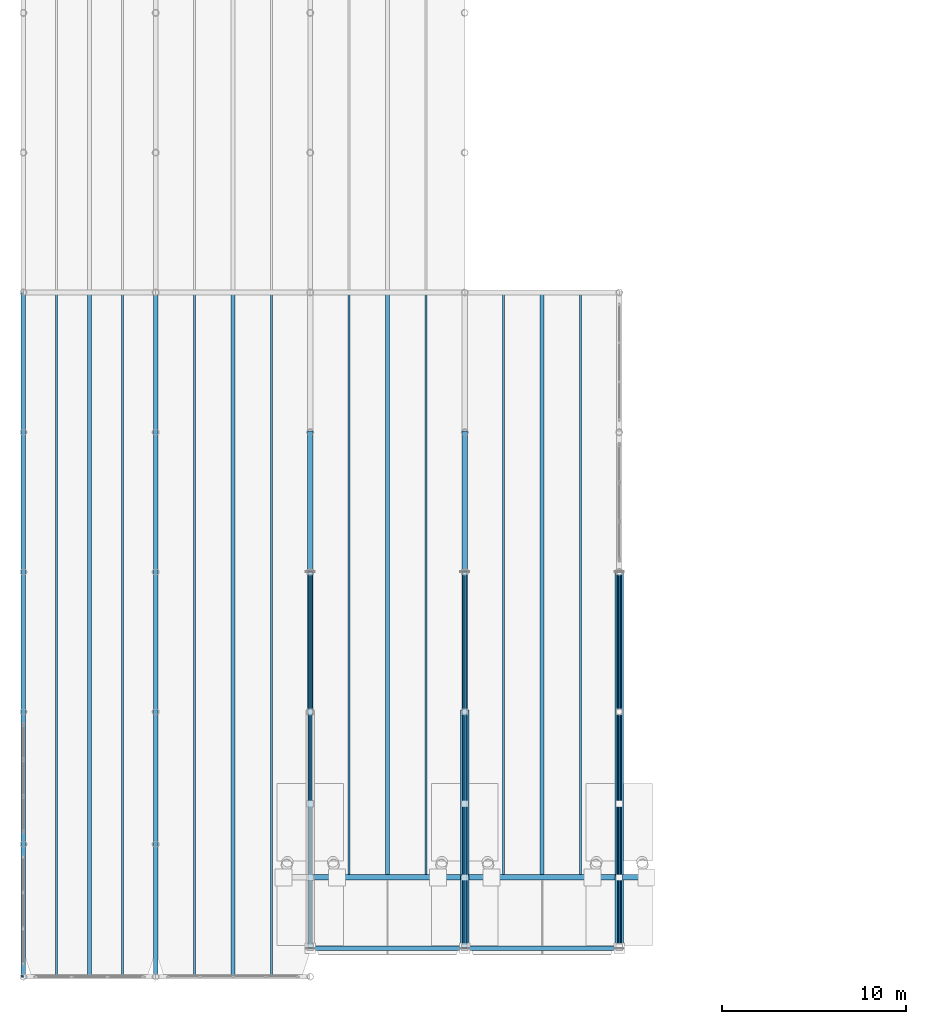
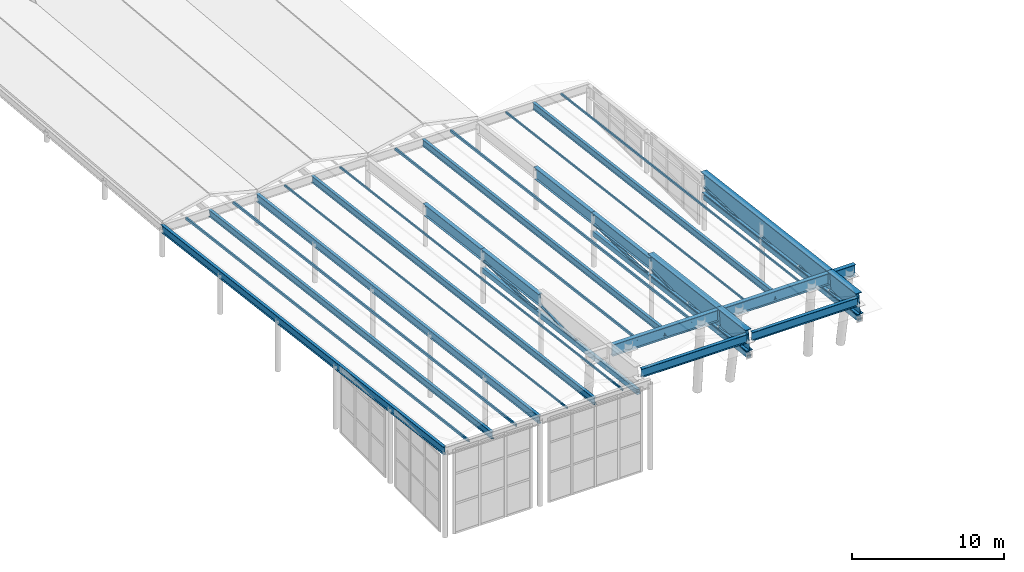
# One storey, part 6 of 14: 21 members, 19 beams.
"""IFC4 building model written with IfcOpenShell, lengths in metres."""

import ifcopenshell
import ifcopenshell.guid

model = None  # the IFC model being written
_history = None  # IfcOwnerHistory: only IFC2X3 demands one
_inside = {}  # id of a spatial element -> (the spatial element, [elements in it])
_under = {}  # id of a project, library or spatial element -> (it, [spatial elements below it])
_declared = {}  # id of a project -> (the project, [libraries it declares])
_typed = {}  # id of a type object -> (the type object, [elements of that type])
_made_of = {}  # id of a material, layer set ... -> (it, [elements and type objects made of it])


def new_model(schema):
    """Start an empty IFC model of exactly this schema.

    Asked for "IFC4X3", IfcOpenShell would pick the latest addendum, in which some entities
    have other attributes; the version numbers below select the first issue.
    IFC2X3 requires an IfcOwnerHistory on every rooted entity: one is made here for all.
    """
    global model, _history
    if schema == "IFC4X3":
        model = ifcopenshell.file(schema_version=(4, 3, 0, 0))
    else:
        model = ifcopenshell.file(schema=schema)
    _inside.clear()
    _under.clear()
    _declared.clear()
    _typed.clear()
    _made_of.clear()
    _history = None
    if model.schema == "IFC2X3":
        org = make("IfcOrganization", Name="unknown")
        user = make(
            "IfcPersonAndOrganization",
            ThePerson=make("IfcPerson", FamilyName="unknown"),
            TheOrganization=org,
        )
        app = make(
            "IfcApplication",
            ApplicationDeveloper=org,
            Version="unknown",
            ApplicationFullName="unknown",
            ApplicationIdentifier="unknown",
        )
        _history = make(
            "IfcOwnerHistory",
            OwningUser=user,
            OwningApplication=app,
            ChangeAction="ADDED",
            CreationDate=0,
        )
    return model


def make(cls, **values):
    """One entity of the class cls with the attributes given. An attribute that is None is left unset."""
    return model.create_entity(
        cls, **{name: value for name, value in values.items() if value is not None}
    )


def rooted(cls, **values):
    """An entity with a GlobalId (a new one), such as an element, a storey or a relation."""
    return make(cls, GlobalId=ifcopenshell.guid.new(), OwnerHistory=_history, **values)


def si_unit(unit_type, name, prefix=None):
    """IfcSIUnit, for example si_unit("LENGTHUNIT", "METRE", prefix="MILLI")."""
    return make("IfcSIUnit", UnitType=unit_type, Prefix=prefix, Name=name)


def assignment(units):
    """IfcUnitAssignment: the units of a project."""
    return None if units is None else make("IfcUnitAssignment", Units=units)


def point(xyz):
    """IfcCartesianPoint."""
    return None if xyz is None else make("IfcCartesianPoint", Coordinates=xyz)


def direction(xyz):
    """IfcDirection."""
    return None if xyz is None else make("IfcDirection", DirectionRatios=xyz)


def frame(location, z_axis=None, x_axis=None):
    """IfcAxis2Placement3D, a coordinate frame: its origin and axes. An axis left out is left unset."""
    return make(
        "IfcAxis2Placement3D",
        Location=point(location),
        Axis=direction(z_axis),
        RefDirection=direction(x_axis),
    )


def frame_2d(location, x_axis=None):
    """IfcAxis2Placement2D, a coordinate frame in the plane: its origin and x axis."""
    return make(
        "IfcAxis2Placement2D", Location=point(location), RefDirection=direction(x_axis)
    )


def origin():
    """The frame at (0, 0, 0) with its axes left unset."""
    return frame((0.0, 0.0, 0.0))


def origin_2d():
    """The frame at (0, 0) in the plane with its x axis left unset."""
    return frame_2d((0.0, 0.0))


def place(relative_to, where):
    """IfcLocalPlacement: puts the frame where relative to a parent placement (None: the world)."""
    return make(
        "IfcLocalPlacement", PlacementRelTo=relative_to, RelativePlacement=where
    )


def context(
    kind, dimensions, precision=None, world=None, true_north=None, identifier=None
):
    """IfcGeometricRepresentationContext, for example the 3D "Model" context."""
    return make(
        "IfcGeometricRepresentationContext",
        ContextIdentifier=identifier,
        ContextType=kind,
        CoordinateSpaceDimension=dimensions,
        Precision=precision,
        WorldCoordinateSystem=world,
        TrueNorth=true_north,
    )


def subcontext(parent, identifier, kind, view, scale=None):
    """IfcGeometricRepresentationSubContext, for example "Body" below "Model"."""
    return make(
        "IfcGeometricRepresentationSubContext",
        ContextIdentifier=identifier,
        ContextType=kind,
        ParentContext=parent,
        TargetScale=scale,
        TargetView=view,
    )


def project(units=None, contexts=None):
    """IfcProject with its units and contexts."""
    return rooted(
        "IfcProject",
        Name="project",
        RepresentationContexts=contexts,
        UnitsInContext=assignment(units),
    )


def spatial(cls, under=None, at=None, **own):
    """A site, building, storey or space (cls), placed at a placement, below another one or the project."""
    s = rooted(cls, ObjectPlacement=at, **own)
    if under is not None:
        _under.setdefault(under.id(), (under, []))[1].append(s)
    return s


def profile(cls, at=None, kind="AREA", **sizes):
    """A parametric profile (cls). Its sizes go by their IFC names, for example OverallWidth=200.0."""
    return make(cls, ProfileType=kind, Position=at, **sizes)


def hollow_rectangle(**sizes):
    """IfcRectangleHollowProfileDef."""
    return profile("IfcRectangleHollowProfileDef", **sizes)


def hollow_circle(**sizes):
    """IfcCircleHollowProfileDef."""
    return profile("IfcCircleHollowProfileDef", **sizes)


def i_section(**sizes):
    """IfcIShapeProfileDef."""
    return profile("IfcIShapeProfileDef", **sizes)


def extrude(swept, where, along, depth):
    """IfcExtrudedAreaSolid: the profile swept, set in the frame where, extruded along a direction by depth."""
    return make(
        "IfcExtrudedAreaSolid",
        SweptArea=swept,
        Position=where,
        ExtrudedDirection=direction(along),
        Depth=depth,
    )


def shape(context_of_items, identifier, shape_type, items):
    """IfcShapeRepresentation: the items that make up one representation, for example the "Body"."""
    return make(
        "IfcShapeRepresentation",
        ContextOfItems=context_of_items,
        RepresentationIdentifier=identifier,
        RepresentationType=shape_type,
        Items=items,
    )


def material(Name=None, Category=None):
    """IfcMaterial."""
    return make("IfcMaterial", Name=Name, Category=Category)


def material_profile(
    of_material, cross_section, Name=None, Category=None, Priority=None
):
    """IfcMaterialProfile: a cross section and its material."""
    return make(
        "IfcMaterialProfile",
        Name=Name,
        Material=of_material,
        Profile=cross_section,
        Priority=Priority,
        Category=Category,
    )


def profile_set(profiles, Name=None, composite=None):
    """IfcMaterialProfileSet."""
    return make(
        "IfcMaterialProfileSet",
        Name=Name,
        MaterialProfiles=profiles,
        CompositeProfile=composite,
    )


def made_of(thing, what):
    """Note that an element or type object is made of a material, layer set ...; save() writes the relation."""
    if what is not None:
        _made_of.setdefault(what.id(), (what, []))[1].append(thing)
    return thing


def type_object(cls, material=None, **own):
    """A type object (cls), such as IfcWallType, which elements share."""
    return made_of(rooted(cls, **own), material)


def element(
    cls,
    number,
    at=None,
    inside=None,
    cuts=None,
    type_object=None,
    material=None,
    context=None,
    identifier="Body",
    shape_type=None,
    held_by="IfcProductDefinitionShape",
    body=None,
    shapes=None,
    **own,
):
    """One element of the class cls, such as IfcWall. Its Tag is "e" and its number.

    at: its placement. inside: the storey or other place that contains it. cuts: it is an
    opening in that element (IfcRelVoidsElement). A single representation is given by context,
    identifier, shape_type and body (its items); several are given by shapes. held_by: the class
    of the entity that holds the representations. save() writes the other relations.
    """
    e = rooted(cls, Tag="e%d" % number, ObjectPlacement=at, **own)
    if body is not None:
        shapes = [shape(context, identifier, shape_type, body)]
    if shapes is not None:
        e.Representation = make(held_by, Representations=shapes)
    if inside is not None:
        _inside.setdefault(inside.id(), (inside, []))[1].append(e)
    if cuts is not None:
        rooted(
            "IfcRelVoidsElement", RelatingBuildingElement=cuts, RelatedOpeningElement=e
        )
    if type_object is not None:
        _typed.setdefault(type_object.id(), (type_object, []))[1].append(e)
    return made_of(e, material)


def aggregate(whole, parts):
    """IfcRelAggregates: a whole, such as a stair, and the parts it consists of."""
    return rooted("IfcRelAggregates", RelatingObject=whole, RelatedObjects=parts)


def save(model, path):
    """Write the relations noted so far, then the file.

    IfcRelAggregates (storeys below a building ...), IfcRelContainedInSpatialStructure (elements
    in a storey), IfcRelDefinesByType, IfcRelAssociatesMaterial and IfcRelDeclares: one each for
    every whole, place, type object, material and project.
    """
    for whole, parts in _under.values():
        aggregate(whole, parts)
    for where, things in _inside.values():
        rooted(
            "IfcRelContainedInSpatialStructure",
            RelatedElements=things,
            RelatingStructure=where,
        )
    for kind, things in _typed.values():
        rooted("IfcRelDefinesByType", RelatedObjects=things, RelatingType=kind)
    for what, things in _made_of.values():
        rooted("IfcRelAssociatesMaterial", RelatedObjects=things, RelatingMaterial=what)
    for by, libraries in _declared.values():
        rooted("IfcRelDeclares", RelatingContext=by, RelatedDefinitions=libraries)
    model.write(path)


model = new_model("IFC4")

# Units and contexts
model_context = context("Model", 3, precision=1e-05, world=origin(), true_north=direction((0.0, 1.0)))
body_context = subcontext(model_context, "Body", "Model", "MODEL_VIEW")
ifc_project = project(units=[si_unit("LENGTHUNIT", "METRE"), si_unit("AREAUNIT", "SQUARE_METRE"), si_unit("VOLUMEUNIT", "CUBIC_METRE"), si_unit("PLANEANGLEUNIT", "RADIAN"), si_unit("MASSUNIT", "GRAM", prefix="KILO")], contexts=[model_context])

# Site, building, storey
site_placement = place(None, origin())
site = spatial("IfcSite", under=ifc_project, at=site_placement, CompositionType="ELEMENT")
building_placement = place(site_placement, origin())
building = spatial("IfcBuilding", under=site, at=building_placement, Name="Xicomal Pleat Aquarium", CompositionType="ELEMENT")
storey_placement = place(building_placement, frame((0.0, 0.0, 24.0)))
storey = spatial("IfcBuildingStorey", under=building, at=storey_placement, Name="RF", CompositionType="ELEMENT", Elevation=24.0)

# Beams
ifc_material_1 = material(Name="Structural steel A992 Gr 50", Category="steel")
ifc_material_profile_1 = material_profile(ifc_material_1, i_section(OverallWidth=0.449951171875, OverallDepth=1.60009765625, WebThickness=0.02197265625, FlangeThickness=0.0400390625, at=origin_2d()), Name="IR 1600x540")
ifc_profile_set_1 = profile_set([ifc_material_profile_1], Name="Structural steel A992 Gr 50")
beam_type_1 = type_object("IfcBeamType", Name="BM-STL-IR1600", PredefinedType="BEAM", material=ifc_profile_set_1)
beam_1_placement = place(storey_placement, frame((27.0, 2.35009765625, 6.426025390625), z_axis=(0.0, 0.992224543201, -0.124460659931), x_axis=(-1.0, 0.0, 0.0)))
element("IfcBeam", 1, at=beam_1_placement, inside=storey, type_object=beam_type_1, Name="RF pleated canopy girder 04-TIP", PredefinedType="BEAM", context=body_context, shape_type="SweptSolid", body=[
    extrude(i_section(OverallWidth=0.449951171875, OverallDepth=1.60009765625, WebThickness=0.02197265625, FlangeThickness=0.0400390625, at=origin_2d()), origin(), (0.0, 0.0, 1.0), 3.880126953125),
])
beam_2_placement = place(storey_placement, frame((27.0, 6.199951171875, 5.943115234375), z_axis=(0.0, 0.992208154771, -0.124591242091), x_axis=(-1.0, 0.0, 0.0)))
element("IfcBeam", 2, at=beam_2_placement, inside=storey, type_object=beam_type_1, Name="RF pleated canopy girder 04-MID", PredefinedType="BEAM", context=body_context, shape_type="SweptSolid", body=[
    extrude(i_section(OverallWidth=0.449951171875, OverallDepth=1.60009765625, WebThickness=0.02197265625, FlangeThickness=0.0400390625, at=origin_2d()), origin(), (0.0, 0.0, 1.0), 9.070556640625),
])
beam_3_placement = place(storey_placement, frame((35.39990234375, 2.35009765625, 6.426025390625), z_axis=(0.0, 0.992224543201, -0.124460659931), x_axis=(-1.0, 0.0, 0.0)))
element("IfcBeam", 3, at=beam_3_placement, inside=storey, type_object=beam_type_1, Name="RF pleated canopy girder 05-TIP", PredefinedType="BEAM", context=body_context, shape_type="SweptSolid", body=[
    extrude(i_section(OverallWidth=0.449951171875, OverallDepth=1.60009765625, WebThickness=0.02197265625, FlangeThickness=0.0400390625, at=origin_2d()), origin(), (0.0, 0.0, 1.0), 3.880126953125),
])
beam_4_placement = place(storey_placement, frame((35.39990234375, 6.199951171875, 5.943115234375), z_axis=(0.0, 0.992202712375, -0.124634576086), x_axis=(-1.0, 0.0, 0.0)))
element("IfcBeam", 4, at=beam_4_placement, inside=storey, type_object=beam_type_1, Name="RF pleated canopy girder 05-MID", PredefinedType="BEAM", context=body_context, shape_type="SweptSolid", body=[
    extrude(i_section(OverallWidth=0.449951171875, OverallDepth=1.60009765625, WebThickness=0.02197265625, FlangeThickness=0.0400390625, at=origin_2d()), origin(), (0.0, 0.0, 1.0), 16.73046875),
])
ifc_material_2 = material(Name="Structural steel A992 Gr 50", Category="steel")
ifc_material_profile_2 = material_profile(ifc_material_2, i_section(OverallWidth=0.2119140625, OverallDepth=0.5439453125, WebThickness=0.01318359375, FlangeThickness=0.021240234375, at=origin_2d()), Name="IR 530x123")
ifc_profile_set_2 = profile_set([ifc_material_profile_2], Name="Structural steel A992 Gr 50")
beam_type_2 = type_object("IfcBeamType", Name="BM-STL-IR530", PredefinedType="BEAM", material=ifc_profile_set_2)
for number, where, z_axis, x_axis, name in (
    (5, (6.60009765625, 0.800048828125, 6.89111328125), (0.0, 0.992208295552, -0.124590120947), (-1.0, 0.0, 0.0), "Pleated roof ridge girder T1-B1"),
    (6, (14.39990234375, 0.800048828125, 6.89111328125), (0.0, 0.992208295552, -0.124590120947), (-1.0, 0.0, 0.0), "Pleated roof ridge girder T1-B2"),
):
    element("IfcBeam", number, at=place(storey_placement, frame(where, z_axis=z_axis, x_axis=x_axis)), inside=storey, type_object=beam_type_2, Name=name, PredefinedType="BEAM", context=body_context, shape_type="SweptSolid", body=[
        extrude(i_section(OverallWidth=0.2119140625, OverallDepth=0.5439453125, WebThickness=0.01318359375, FlangeThickness=0.021240234375, at=origin_2d()), origin(), (0.0, 0.0, 1.0), 37.4921875),
    ])
for number, where, z_axis, x_axis, name in (
    (7, (22.800048828125, 6.199951171875, 6.212890625), (0.0, 0.992208931749, -0.124585054308), (-1.0, 0.0, 0.0), "Pleated roof ridge girder T1-B3"),
    (8, (31.199951171875, 6.199951171875, 6.212890625), (0.0, 0.992208931749, -0.124585054308), (-1.0, 0.0, 0.0), "Pleated roof ridge girder T1-B4"),
):
    element("IfcBeam", number, at=place(storey_placement, frame(where, z_axis=z_axis, x_axis=x_axis)), inside=storey, type_object=beam_type_2, Name=name, PredefinedType="BEAM", context=body_context, shape_type="SweptSolid", body=[
        extrude(i_section(OverallWidth=0.2119140625, OverallDepth=0.5439453125, WebThickness=0.01318359375, FlangeThickness=0.021240234375, at=origin_2d()), origin(), (0.0, 0.0, 1.0), 32.0498046875),
    ])
ifc_material_3 = material(Name="Structural steel A992 Gr 50", Category="steel")
ifc_material_profile_3 = material_profile(ifc_material_3, i_section(OverallWidth=0.22998046875, OverallDepth=0.616943359375, WebThickness=0.01318359375, FlangeThickness=0.022216796875, at=origin_2d()), Name="IR 610x140")
ifc_profile_set_3 = profile_set([ifc_material_profile_3], Name="Structural steel A992 Gr 50")
beam_type_3 = type_object("IfcBeamType", Name="BM-STL-IR610", PredefinedType="BEAM", material=ifc_profile_set_3)
for number, where, z_axis, x_axis, name in (
    (9, (3.0, 0.800048828125, 6.89111328125), (0.0, 0.992208295552, -0.124590120947), (-1.0, 0.0, 0.0), "Pleated roof valley girder T1-B1"),
    (10, (10.199951171875, 0.800048828125, 6.89111328125), (0.0, 0.992208295552, -0.124590120947), (-1.0, 0.0, 0.0), "Pleated roof valley girder T1-B2"),
):
    element("IfcBeam", number, at=place(storey_placement, frame(where, z_axis=z_axis, x_axis=x_axis)), inside=storey, type_object=beam_type_3, Name=name, PredefinedType="BEAM", context=body_context, shape_type="SweptSolid", body=[
        extrude(i_section(OverallWidth=0.22998046875, OverallDepth=0.616943359375, WebThickness=0.01318359375, FlangeThickness=0.022216796875, at=origin_2d()), origin(), (0.0, 0.0, 1.0), 37.4921875),
    ])
ifc_material_4 = material(Name="Structural steel A992 Gr 50", Category="steel")
ifc_material_profile_4 = material_profile(ifc_material_4, i_section(OverallWidth=0.256103515625, OverallDepth=0.693115234375, WebThickness=0.014404296875, FlangeThickness=0.023681640625, at=origin_2d()), Name="IR 690x170")
ifc_profile_set_4 = profile_set([ifc_material_profile_4], Name="Structural steel A992 Gr 50")
beam_type_4 = type_object("IfcBeamType", Name="BM-STL-IR690", PredefinedType="BEAM", material=ifc_profile_set_4)
for number, where, z_axis, x_axis, name in (
    (11, (18.780029296875, 2.35009765625, 6.696044921875), (1.0, 0.0, 0.0), (0.0, 1.0, 0.0), "Forecourt canopy tip ring girder 03-04"),
    (12, (27.179931640625, 2.35009765625, 6.696044921875), (1.0, 0.0, 0.0), (0.0, 1.0, 0.0), "Forecourt canopy tip ring girder 04-05"),
):
    element("IfcBeam", number, at=place(storey_placement, frame(where, z_axis=z_axis, x_axis=x_axis)), inside=storey, type_object=beam_type_4, Name=name, PredefinedType="BEAM", context=body_context, shape_type="SweptSolid", body=[
        extrude(i_section(OverallWidth=0.256103515625, OverallDepth=0.693115234375, WebThickness=0.014404296875, FlangeThickness=0.023681640625, at=origin_2d()), origin(), (0.0, 0.0, 1.0), 8.0400390625),
    ])
ifc_material_5 = material(Name="Structural steel A992 Gr 50", Category="steel")
ifc_material_profile_5 = material_profile(ifc_material_5, i_section(OverallWidth=0.306884765625, OverallDepth=0.923095703125, WebThickness=0.018310546875, FlangeThickness=0.030029296875, at=origin_2d()), Name="IR 920x271")
ifc_profile_set_5 = profile_set([ifc_material_profile_5], Name="Structural steel A992 Gr 50")
beam_type_5 = type_object("IfcBeamType", Name="BM-STL-IR920", PredefinedType="BEAM", material=ifc_profile_set_5)
for number, where, z_axis, x_axis, name in (
    (13, (18.780029296875, 6.199951171875, 6.212890625), (1.0, 0.0, 0.0), (0.0, 1.0, 0.0), "Forecourt splayed column prop girder 0304"),
    (14, (27.179931640625, 6.199951171875, 6.212890625), (1.0, 0.0, 0.0), (0.0, 1.0, 0.0), "Forecourt splayed column prop girder 0405"),
):
    element("IfcBeam", number, at=place(storey_placement, frame(where, z_axis=z_axis, x_axis=x_axis)), inside=storey, type_object=beam_type_5, Name=name, PredefinedType="BEAM", context=body_context, shape_type="SweptSolid", body=[
        extrude(i_section(OverallWidth=0.306884765625, OverallDepth=0.923095703125, WebThickness=0.018310546875, FlangeThickness=0.030029296875, at=origin_2d()), origin(), (0.0, 0.0, 1.0), 8.0400390625),
    ])
beam_5_placement = place(storey_placement, frame((35.580078125, 6.199951171875, 6.212890625), z_axis=(1.0, 0.0, 0.0), x_axis=(0.0, 1.0, 0.0)))
element("IfcBeam", 15, at=beam_5_placement, inside=storey, type_object=beam_type_5, Name="Forecourt splayed column prop girder 05E", PredefinedType="BEAM", context=body_context, shape_type="SweptSolid", body=[
    extrude(i_section(OverallWidth=0.306884765625, OverallDepth=0.923095703125, WebThickness=0.018310546875, FlangeThickness=0.030029296875, at=origin_2d()), origin(), (0.0, 0.0, 1.0), 1.669921875),
])
beam_6_placement = place(storey_placement, frame((18.60009765625, 15.199951171875, 4.81298828125), z_axis=(0.0, 0.992196265144, -0.124685891078), x_axis=(-1.0, 0.0, 0.0)))
element("IfcBeam", 16, at=beam_6_placement, inside=storey, type_object=beam_type_5, Name="RF pleated canopy girder 03-BCK0", PredefinedType="BEAM", context=body_context, shape_type="SweptSolid", body=[
    extrude(i_section(OverallWidth=0.306884765625, OverallDepth=0.923095703125, WebThickness=0.018310546875, FlangeThickness=0.030029296875, at=origin_2d()), origin(), (0.0, 0.0, 1.0), 7.659912109375),
])
beam_7_placement = place(storey_placement, frame((18.60009765625, 22.800048828125, 3.85791015625), z_axis=(0.0, 0.992215474133, -0.124532938978), x_axis=(-1.0, 0.0, 0.0)))
element("IfcBeam", 17, at=beam_7_placement, inside=storey, type_object=beam_type_5, Name="RF pleated canopy girder 03-BCK1", PredefinedType="BEAM", context=body_context, shape_type="SweptSolid", body=[
    extrude(i_section(OverallWidth=0.306884765625, OverallDepth=0.923095703125, WebThickness=0.018310546875, FlangeThickness=0.030029296875, at=origin_2d()), origin(), (0.0, 0.0, 1.0), 7.659423828125),
])
beam_8_placement = place(storey_placement, frame((27.0, 15.199951171875, 4.81298828125), z_axis=(0.0, 0.992196265144, -0.124685891078), x_axis=(-1.0, 0.0, 0.0)))
element("IfcBeam", 18, at=beam_8_placement, inside=storey, type_object=beam_type_5, Name="RF pleated canopy girder 04-BCK0", PredefinedType="BEAM", context=body_context, shape_type="SweptSolid", body=[
    extrude(i_section(OverallWidth=0.306884765625, OverallDepth=0.923095703125, WebThickness=0.018310546875, FlangeThickness=0.030029296875, at=origin_2d()), origin(), (0.0, 0.0, 1.0), 7.659912109375),
])
beam_9_placement = place(storey_placement, frame((27.0, 22.800048828125, 3.85791015625), z_axis=(0.0, 0.992215474133, -0.124532938978), x_axis=(-1.0, 0.0, 0.0)))
element("IfcBeam", 19, at=beam_9_placement, inside=storey, type_object=beam_type_5, Name="RF pleated canopy girder 04-BCK1", PredefinedType="BEAM", context=body_context, shape_type="SweptSolid", body=[
    extrude(i_section(OverallWidth=0.306884765625, OverallDepth=0.923095703125, WebThickness=0.018310546875, FlangeThickness=0.030029296875, at=origin_2d()), origin(), (0.0, 0.0, 1.0), 7.659423828125),
])

# Members
ifc_material_6 = material(Name="Structural steel A500 Gr C", Category="steel")
ifc_material_profile_6 = material_profile(ifc_material_6, hollow_circle(Radius=0.109619140625, WallThickness=0.011962890625, at=origin_2d()), Name="OC 219x12")
ifc_profile_set_6 = profile_set([ifc_material_profile_6], Name="Structural steel A500 Gr C")
member_type_1 = type_object("IfcMemberType", Name="MEM-BR-OC219", PredefinedType="BRACE", material=ifc_profile_set_6)
member_1_placement = place(storey_placement, frame((18.60009765625, 10.199951171875, 4.2900390625), z_axis=(0.0, 0.999826999507, 0.018600297208), x_axis=(-1.0, 0.0, 0.0)))
element("IfcMember", 20, at=member_1_placement, inside=storey, type_object=member_type_1, Name="RF cantilever truss diagonal 03-3", PredefinedType="BRACE", context=body_context, shape_type="SweptSolid", body=[
    extrude(hollow_circle(Radius=0.109619140625, WallThickness=0.011962890625, at=origin_2d()), origin(), (0.0, 0.0, 1.0), 5.0009765625),
])
member_2_placement = place(storey_placement, frame((18.60009765625, 15.199951171875, 3.6630859375), z_axis=(0.0, 0.999521862538, -0.03091999851), x_axis=(-1.0, 0.0, 0.0)))
element("IfcMember", 21, at=member_2_placement, inside=storey, type_object=member_type_1, Name="RF cantilever truss diagonal 03-4", PredefinedType="BRACE", context=body_context, shape_type="SweptSolid", body=[
    extrude(hollow_circle(Radius=0.109619140625, WallThickness=0.011962890625, at=origin_2d()), origin(), (0.0, 0.0, 1.0), 7.603759765625),
])
member_3_placement = place(storey_placement, frame((27.0, 2.39990234375, 5.27001953125), z_axis=(0.0, 0.999674882062, -0.025497650381), x_axis=(-1.0, 0.0, 0.0)))
element("IfcMember", 22, at=member_3_placement, inside=storey, type_object=member_type_1, Name="RF cantilever truss diagonal 04-1", PredefinedType="BRACE", context=body_context, shape_type="SweptSolid", body=[
    extrude(hollow_circle(Radius=0.109619140625, WallThickness=0.011962890625, at=origin_2d()), origin(), (0.0, 0.0, 1.0), 3.80126953125),
])
member_4_placement = place(storey_placement, frame((27.0, 6.199951171875, 4.79296875), z_axis=(0.0, 0.99952719386, -0.03074717442), x_axis=(-1.0, 0.0, 0.0)))
element("IfcMember", 23, at=member_4_placement, inside=storey, type_object=member_type_1, Name="RF cantilever truss diagonal 04-2", PredefinedType="BRACE", context=body_context, shape_type="SweptSolid", body=[
    extrude(hollow_circle(Radius=0.109619140625, WallThickness=0.011962890625, at=origin_2d()), origin(), (0.0, 0.0, 1.0), 4.001953125),
])
member_5_placement = place(storey_placement, frame((27.0, 10.199951171875, 4.2900390625), z_axis=(0.0, 0.999826999507, 0.018600297208), x_axis=(-1.0, 0.0, 0.0)))
element("IfcMember", 24, at=member_5_placement, inside=storey, type_object=member_type_1, Name="RF cantilever truss diagonal 04-3", PredefinedType="BRACE", context=body_context, shape_type="SweptSolid", body=[
    extrude(hollow_circle(Radius=0.109619140625, WallThickness=0.011962890625, at=origin_2d()), origin(), (0.0, 0.0, 1.0), 5.0009765625),
])
member_6_placement = place(storey_placement, frame((27.0, 15.199951171875, 3.6630859375), z_axis=(0.0, 0.999521862538, -0.03091999851), x_axis=(-1.0, 0.0, 0.0)))
element("IfcMember", 25, at=member_6_placement, inside=storey, type_object=member_type_1, Name="RF cantilever truss diagonal 04-4", PredefinedType="BRACE", context=body_context, shape_type="SweptSolid", body=[
    extrude(hollow_circle(Radius=0.109619140625, WallThickness=0.011962890625, at=origin_2d()), origin(), (0.0, 0.0, 1.0), 7.603759765625),
])
member_7_placement = place(storey_placement, frame((35.39990234375, 2.39990234375, 5.27001953125), z_axis=(0.0, 0.999674882062, -0.025497650381), x_axis=(-1.0, 0.0, 0.0)))
element("IfcMember", 26, at=member_7_placement, inside=storey, type_object=member_type_1, Name="RF cantilever truss diagonal 05-1", PredefinedType="BRACE", context=body_context, shape_type="SweptSolid", body=[
    extrude(hollow_circle(Radius=0.109619140625, WallThickness=0.011962890625, at=origin_2d()), origin(), (0.0, 0.0, 1.0), 3.80126953125),
])
member_8_placement = place(storey_placement, frame((35.39990234375, 6.199951171875, 4.79296875), z_axis=(0.0, 0.99952719386, -0.03074717442), x_axis=(-1.0, 0.0, 0.0)))
element("IfcMember", 27, at=member_8_placement, inside=storey, type_object=member_type_1, Name="RF cantilever truss diagonal 05-2", PredefinedType="BRACE", context=body_context, shape_type="SweptSolid", body=[
    extrude(hollow_circle(Radius=0.109619140625, WallThickness=0.011962890625, at=origin_2d()), origin(), (0.0, 0.0, 1.0), 4.001953125),
])
member_9_placement = place(storey_placement, frame((35.39990234375, 10.199951171875, 4.2900390625), z_axis=(0.0, 0.998781356477, -0.049353844373), x_axis=(-1.0, 0.0, 0.0)))
element("IfcMember", 28, at=member_9_placement, inside=storey, type_object=member_type_1, Name="RF cantilever truss diagonal 05-3", PredefinedType="BRACE", context=body_context, shape_type="SweptSolid", body=[
    extrude(hollow_circle(Radius=0.109619140625, WallThickness=0.011962890625, at=origin_2d()), origin(), (0.0, 0.0, 1.0), 5.006103515625),
])
member_10_placement = place(storey_placement, frame((35.39990234375, 15.199951171875, 3.6630859375), z_axis=(0.0, 0.999521862538, -0.03091999851), x_axis=(-1.0, 0.0, 0.0)))
element("IfcMember", 29, at=member_10_placement, inside=storey, type_object=member_type_1, Name="RF cantilever truss diagonal 05-4", PredefinedType="BRACE", context=body_context, shape_type="SweptSolid", body=[
    extrude(hollow_circle(Radius=0.109619140625, WallThickness=0.011962890625, at=origin_2d()), origin(), (0.0, 0.0, 1.0), 7.603759765625),
])
ifc_material_7 = material(Name="Structural steel A500 Gr C", Category="steel")
ifc_material_profile_7 = material_profile(ifc_material_7, hollow_rectangle(XDim=0.25, YDim=0.39990234375, WallThickness=0.013916015625, at=origin_2d()), Name="OR 400x250x14")
ifc_profile_set_7 = profile_set([ifc_material_profile_7], Name="Structural steel A500 Gr C")
member_type_2 = type_object("IfcMemberType", Name="MEM-CH-OR400", PredefinedType="CHORD", material=ifc_profile_set_7)
for number, where, z_axis, x_axis, name in (
    (30, (18.60009765625, 2.35009765625, 5.22607421875), (0.0, 0.992206824444, -0.12460183597), (-1.0, 0.0, 0.0), "RF cantilever truss chord 03"),
    (31, (27.0, 2.35009765625, 5.22607421875), (0.0, 0.992206824444, -0.12460183597), (-1.0, 0.0, 0.0), "RF cantilever truss chord 04"),
    (32, (35.39990234375, 2.35009765625, 5.22607421875), (0.0, 0.992206824444, -0.12460183597), (-1.0, 0.0, 0.0), "RF cantilever truss chord 05"),
):
    element("IfcMember", number, at=place(storey_placement, frame(where, z_axis=z_axis, x_axis=x_axis)), inside=storey, type_object=member_type_2, Name=name, PredefinedType="CHORD", context=body_context, shape_type="SweptSolid", body=[
        extrude(hollow_rectangle(XDim=0.25, YDim=0.39990234375, WallThickness=0.013916015625, at=origin_2d()), origin(), (0.0, 0.0, 1.0), 20.610595703125),
    ])
ifc_material_8 = material(Name="Structural steel A500 Gr C", Category="steel")
ifc_material_profile_8 = material_profile(ifc_material_8, hollow_rectangle(XDim=0.10009765625, YDim=0.14990234375, WallThickness=0.008056640625, at=origin_2d()), Name="OR 150x100x8")
ifc_profile_set_8 = profile_set([ifc_material_profile_8], Name="Structural steel A500 Gr C")
member_type_3 = type_object("IfcMemberType", Name="MEM-PR-OR150", PredefinedType="PURLIN", material=ifc_profile_set_8)
for number, where, z_axis, x_axis, name in (
    (33, (12.300048828125, 0.800048828125, 7.071044921875), (0.0, 0.992208295552, -0.124590120947), (-1.0, 0.0, 0.0), "Pleated roof purlin T1-B2W"),
    (34, (16.5, 0.800048828125, 7.071044921875), (0.0, 0.992208295552, -0.124590120947), (-1.0, 0.0, 0.0), "Pleated roof purlin T1-B2E"),
):
    element("IfcMember", number, at=place(storey_placement, frame(where, z_axis=z_axis, x_axis=x_axis)), inside=storey, type_object=member_type_3, Name=name, PredefinedType="PURLIN", context=body_context, shape_type="SweptSolid", body=[
        extrude(hollow_rectangle(XDim=0.10009765625, YDim=0.14990234375, WallThickness=0.008056640625, at=origin_2d()), origin(), (0.0, 0.0, 1.0), 37.4921875),
    ])
for number, where, z_axis, x_axis, name in (
    (35, (29.10009765625, 6.199951171875, 6.39306640625), (0.0, 0.992207990083, -0.124592553613), (-1.0, 0.0, 0.0), "Pleated roof purlin T1-B4W"),
    (36, (33.300048828125, 6.199951171875, 6.39306640625), (0.0, 0.992207990083, -0.124592553613), (-1.0, 0.0, 0.0), "Pleated roof purlin T1-B4E"),
):
    element("IfcMember", number, at=place(storey_placement, frame(where, z_axis=z_axis, x_axis=x_axis)), inside=storey, type_object=member_type_3, Name=name, PredefinedType="PURLIN", context=body_context, shape_type="SweptSolid", body=[
        extrude(hollow_rectangle(XDim=0.10009765625, YDim=0.14990234375, WallThickness=0.008056640625, at=origin_2d()), origin(), (0.0, 0.0, 1.0), 32.0498046875),
    ])
ifc_material_9 = material(Name="Structural steel A500 Gr C", Category="steel")
ifc_material_profile_9 = material_profile(ifc_material_9, hollow_rectangle(XDim=0.1201171875, YDim=0.199951171875, WallThickness=0.010009765625, at=origin_2d()), Name="OR 200x120x10")
ifc_profile_set_9 = profile_set([ifc_material_profile_9], Name="Structural steel A500 Gr C")
member_type_4 = type_object("IfcMemberType", Name="MEM-PR-OR200", PredefinedType="PURLIN", material=ifc_profile_set_9)
for number, where, z_axis, x_axis, name in (
    (37, (4.800048828125, 0.800048828125, 7.071044921875), (0.0, 0.992208295552, -0.124590120947), (-1.0, 0.0, 0.0), "Pleated roof purlin T1-B1W"),
    (38, (8.39990234375, 0.800048828125, 7.071044921875), (0.0, 0.992208295552, -0.124590120947), (-1.0, 0.0, 0.0), "Pleated roof purlin T1-B1E"),
):
    element("IfcMember", number, at=place(storey_placement, frame(where, z_axis=z_axis, x_axis=x_axis)), inside=storey, type_object=member_type_4, Name=name, PredefinedType="PURLIN", context=body_context, shape_type="SweptSolid", body=[
        extrude(hollow_rectangle(XDim=0.1201171875, YDim=0.199951171875, WallThickness=0.010009765625, at=origin_2d()), origin(), (0.0, 0.0, 1.0), 37.4921875),
    ])
for number, where, z_axis, x_axis, name in (
    (39, (20.699951171875, 6.199951171875, 6.39306640625), (0.0, 0.992207990083, -0.124592553613), (-1.0, 0.0, 0.0), "Pleated roof purlin T1-B3W"),
    (40, (24.89990234375, 6.199951171875, 6.39306640625), (0.0, 0.992207990083, -0.124592553613), (-1.0, 0.0, 0.0), "Pleated roof purlin T1-B3E"),
):
    element("IfcMember", number, at=place(storey_placement, frame(where, z_axis=z_axis, x_axis=x_axis)), inside=storey, type_object=member_type_4, Name=name, PredefinedType="PURLIN", context=body_context, shape_type="SweptSolid", body=[
        extrude(hollow_rectangle(XDim=0.1201171875, YDim=0.199951171875, WallThickness=0.010009765625, at=origin_2d()), origin(), (0.0, 0.0, 1.0), 32.0498046875),
    ])

save(model, "model.ifc")
